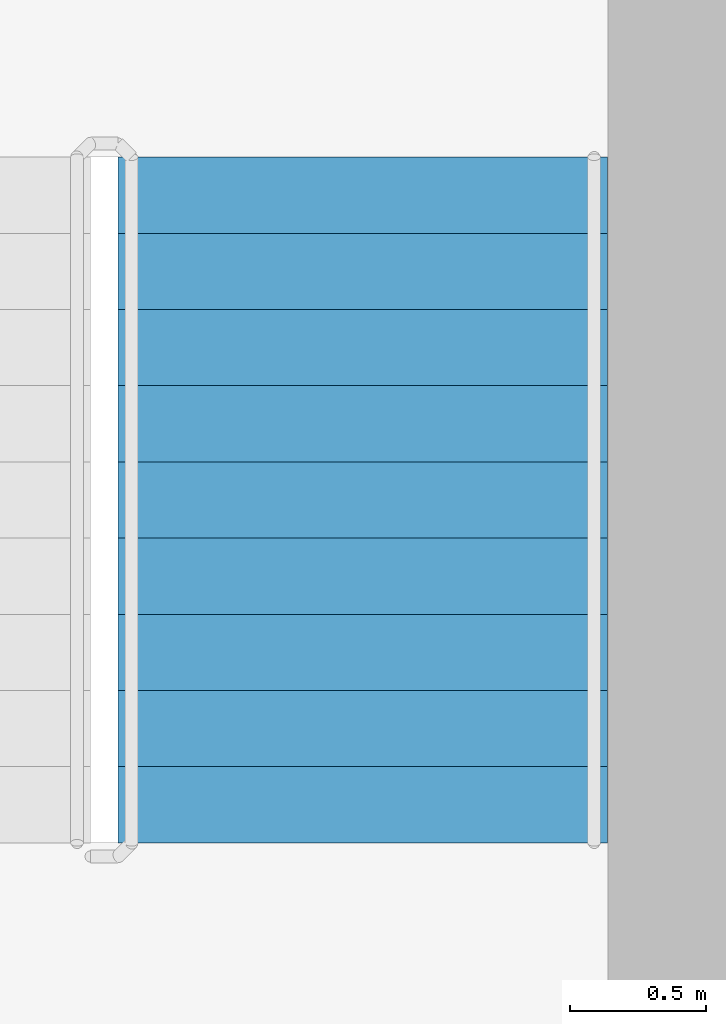
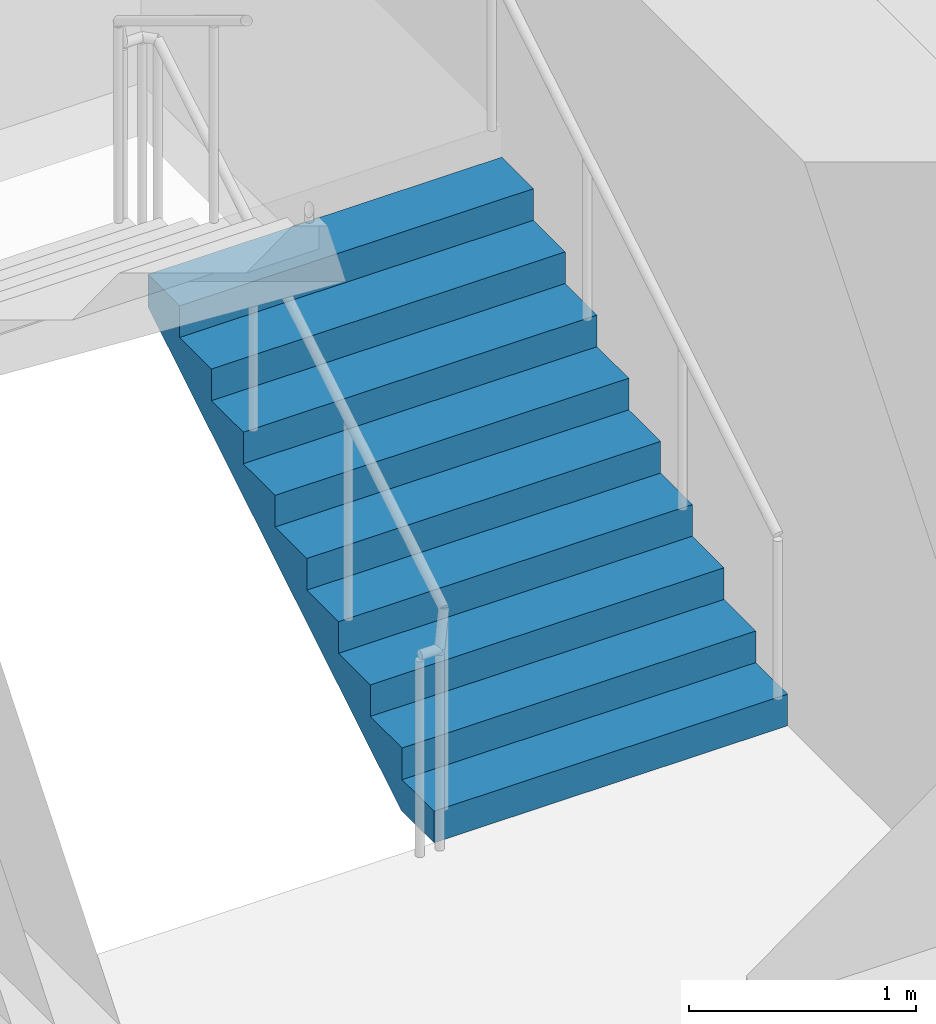
# One storey, part 13 of 22: 1 stair flight, 1 element without a shape of its own.
"""IFC4 building model written with IfcOpenShell, lengths in metres."""

from ifc_helpers import new_model, si_unit, direction, frame, origin, place, context, subcontext, project, spatial, triangles, source, transform, mapped, material, type_object, element, aggregate, save


model = new_model("IFC4")

# Units and contexts
model_context = context("Model", 3, precision=1e-05, world=origin(), true_north=direction((0.0, 1.0)))
body_context = subcontext(model_context, "Body", "Model", "MODEL_VIEW")
ifc_project = project(units=[si_unit("LENGTHUNIT", "METRE"), si_unit("AREAUNIT", "SQUARE_METRE"), si_unit("VOLUMEUNIT", "CUBIC_METRE"), si_unit("PLANEANGLEUNIT", "RADIAN"), si_unit("MASSUNIT", "GRAM", prefix="KILO")], contexts=[model_context])

# Site, building, storey
site_placement = place(None, origin())
site = spatial("IfcSite", under=ifc_project, at=site_placement, CompositionType="ELEMENT")
building_placement = place(site_placement, origin())
building = spatial("IfcBuilding", under=site, at=building_placement, Name="Kilnfold Tower and Market Hall", CompositionType="ELEMENT")
storey_placement = place(building_placement, frame((0.0, 0.0, 171.89990234375)))
storey = spatial("IfcBuildingStorey", under=building, at=storey_placement, Name="L40", CompositionType="ELEMENT", Elevation=171.89990234375)

# Stair, stair flight
ifc_material_1 = material(Name="Concrete C40/50", Category="concrete")
stair_type = type_object("IfcStairType", Name="CORE STAIR 1800", PredefinedType="HALF_TURN_STAIR", material=ifc_material_1)
stair_placement = place(storey_placement, origin())
stair = element("IfcStair", 1, at=stair_placement, inside=storey, type_object=stair_type, Name="L40 ST2", PredefinedType="HALF_TURN_STAIR")
ifc_material_2 = material(Name="Concrete C40/50", Category="concrete")
stair_flight_type = type_object("IfcStairFlightType", Name="CORE STAIR FLIGHT 1800", PredefinedType="STRAIGHT", material=ifc_material_2)
shared_shape = source(origin(), body_context, "Body", "Tessellation", [
    triangles([(0.0, 0.89990234375, 0.0), (0.0, 0.78759765625, 0.0), (0.0, 0.675048828125, 0.0), (0.0, 0.5625, 0.0), (0.0, 0.449951171875, 0.0), (0.0, 0.33740234375, 0.0), (0.0, 0.22509765625, 0.0), (0.0, 0.112548828125, 0.0), (0.0, 0.0, 0.0), (0.0, -0.112548828125, 0.0), (0.0, -0.22509765625, 0.0), (0.0, -0.33740234375, 0.0), (0.0, -0.449951171875, 0.0), (0.0, -0.5625, 0.0), (0.0, -0.675048828125, 0.0), (0.0, -0.78759765625, 0.0), (0.0, -0.89990234375, 0.0), (0.0, 0.89990234375, 0.169921875), (0.0, 0.78759765625, 0.169921875), (0.0, 0.675048828125, 0.169921875), (0.0, 0.5625, 0.169921875), (0.0, 0.449951171875, 0.169921875), (0.0, 0.33740234375, 0.169921875), (0.0, 0.22509765625, 0.169921875), (0.0, 0.112548828125, 0.169921875), (0.0, 0.0, 0.169921875), (0.0, -0.112548828125, 0.169921875), (0.0, -0.22509765625, 0.169921875), (0.0, -0.33740234375, 0.169921875), (0.0, -0.449951171875, 0.169921875), (0.0, -0.5625, 0.169921875), (0.0, -0.675048828125, 0.169921875), (0.0, -0.78759765625, 0.169921875), (0.0, -0.89990234375, 0.169921875), (0.280029296875, 0.89990234375, 0.169921875), (0.280029296875, 0.78759765625, 0.169921875), (0.280029296875, 0.675048828125, 0.169921875), (0.280029296875, 0.5625, 0.169921875), (0.280029296875, 0.449951171875, 0.169921875), (0.280029296875, 0.33740234375, 0.169921875), (0.280029296875, 0.22509765625, 0.169921875), (0.280029296875, 0.112548828125, 0.169921875), (0.280029296875, 0.0, 0.169921875), (0.280029296875, -0.112548828125, 0.169921875), (0.280029296875, -0.22509765625, 0.169921875), (0.280029296875, -0.33740234375, 0.169921875), (0.280029296875, -0.449951171875, 0.169921875), (0.280029296875, -0.5625, 0.169921875), (0.280029296875, -0.675048828125, 0.169921875), (0.280029296875, -0.78759765625, 0.169921875), (0.280029296875, -0.89990234375, 0.169921875), (0.280029296875, 0.89990234375, 0.340087890625), (0.280029296875, 0.78759765625, 0.340087890625), (0.280029296875, 0.675048828125, 0.340087890625), (0.280029296875, 0.5625, 0.340087890625), (0.280029296875, 0.449951171875, 0.340087890625), (0.280029296875, 0.33740234375, 0.340087890625), (0.280029296875, 0.22509765625, 0.340087890625), (0.280029296875, 0.112548828125, 0.340087890625), (0.280029296875, 0.0, 0.340087890625), (0.280029296875, -0.112548828125, 0.340087890625), (0.280029296875, -0.22509765625, 0.340087890625), (0.280029296875, -0.33740234375, 0.340087890625), (0.280029296875, -0.449951171875, 0.340087890625), (0.280029296875, -0.5625, 0.340087890625), (0.280029296875, -0.675048828125, 0.340087890625), (0.280029296875, -0.78759765625, 0.340087890625), (0.280029296875, -0.89990234375, 0.340087890625), (0.56005859375, 0.89990234375, 0.340087890625), (0.56005859375, 0.78759765625, 0.340087890625), (0.56005859375, 0.675048828125, 0.340087890625), (0.56005859375, 0.5625, 0.340087890625), (0.56005859375, 0.449951171875, 0.340087890625), (0.56005859375, 0.33740234375, 0.340087890625), (0.56005859375, 0.22509765625, 0.340087890625), (0.56005859375, 0.112548828125, 0.340087890625), (0.56005859375, 0.0, 0.340087890625), (0.56005859375, -0.112548828125, 0.340087890625), (0.56005859375, -0.22509765625, 0.340087890625), (0.56005859375, -0.33740234375, 0.340087890625), (0.56005859375, -0.449951171875, 0.340087890625), (0.56005859375, -0.5625, 0.340087890625), (0.56005859375, -0.675048828125, 0.340087890625), (0.56005859375, -0.78759765625, 0.340087890625), (0.56005859375, -0.89990234375, 0.340087890625), (0.56005859375, 0.89990234375, 0.510009765625), (0.56005859375, 0.78759765625, 0.510009765625), (0.56005859375, 0.675048828125, 0.510009765625), (0.56005859375, 0.5625, 0.510009765625), (0.56005859375, 0.449951171875, 0.510009765625), (0.56005859375, 0.33740234375, 0.510009765625), (0.56005859375, 0.22509765625, 0.510009765625), (0.56005859375, 0.112548828125, 0.510009765625), (0.56005859375, 0.0, 0.510009765625), (0.56005859375, -0.112548828125, 0.510009765625), (0.56005859375, -0.22509765625, 0.510009765625), (0.56005859375, -0.33740234375, 0.510009765625), (0.56005859375, -0.449951171875, 0.510009765625), (0.56005859375, -0.5625, 0.510009765625), (0.56005859375, -0.675048828125, 0.510009765625), (0.56005859375, -0.78759765625, 0.510009765625), (0.56005859375, -0.89990234375, 0.510009765625), (0.840087890625, 0.89990234375, 0.510009765625), (0.840087890625, 0.78759765625, 0.510009765625), (0.840087890625, 0.675048828125, 0.510009765625), (0.840087890625, 0.5625, 0.510009765625), (0.840087890625, 0.449951171875, 0.510009765625), (0.840087890625, 0.33740234375, 0.510009765625), (0.840087890625, 0.22509765625, 0.510009765625), (0.840087890625, 0.112548828125, 0.510009765625), (0.840087890625, 0.0, 0.510009765625), (0.840087890625, -0.112548828125, 0.510009765625), (0.840087890625, -0.22509765625, 0.510009765625), (0.840087890625, -0.33740234375, 0.510009765625), (0.840087890625, -0.449951171875, 0.510009765625), (0.840087890625, -0.5625, 0.510009765625), (0.840087890625, -0.675048828125, 0.510009765625), (0.840087890625, -0.78759765625, 0.510009765625), (0.840087890625, -0.89990234375, 0.510009765625), (0.840087890625, 0.89990234375, 0.679931640625), (0.840087890625, 0.78759765625, 0.679931640625), (0.840087890625, 0.675048828125, 0.679931640625), (0.840087890625, 0.5625, 0.679931640625), (0.840087890625, 0.449951171875, 0.679931640625), (0.840087890625, 0.33740234375, 0.679931640625), (0.840087890625, 0.22509765625, 0.679931640625), (0.840087890625, 0.112548828125, 0.679931640625), (0.840087890625, 0.0, 0.679931640625), (0.840087890625, -0.112548828125, 0.679931640625), (0.840087890625, -0.22509765625, 0.679931640625), (0.840087890625, -0.33740234375, 0.679931640625), (0.840087890625, -0.449951171875, 0.679931640625), (0.840087890625, -0.5625, 0.679931640625), (0.840087890625, -0.675048828125, 0.679931640625), (0.840087890625, -0.78759765625, 0.679931640625), (0.840087890625, -0.89990234375, 0.679931640625), (1.1201171875, 0.89990234375, 0.679931640625), (1.1201171875, 0.78759765625, 0.679931640625), (1.1201171875, 0.675048828125, 0.679931640625), (1.1201171875, 0.5625, 0.679931640625), (1.1201171875, 0.449951171875, 0.679931640625), (1.1201171875, 0.33740234375, 0.679931640625), (1.1201171875, 0.22509765625, 0.679931640625), (1.1201171875, 0.112548828125, 0.679931640625), (1.1201171875, 0.0, 0.679931640625), (1.1201171875, -0.112548828125, 0.679931640625), (1.1201171875, -0.22509765625, 0.679931640625), (1.1201171875, -0.33740234375, 0.679931640625), (1.1201171875, -0.449951171875, 0.679931640625), (1.1201171875, -0.5625, 0.679931640625), (1.1201171875, -0.675048828125, 0.679931640625), (1.1201171875, -0.78759765625, 0.679931640625), (1.1201171875, -0.89990234375, 0.679931640625), (1.1201171875, 0.89990234375, 0.85009765625), (1.1201171875, 0.78759765625, 0.85009765625), (1.1201171875, 0.675048828125, 0.85009765625), (1.1201171875, 0.5625, 0.85009765625), (1.1201171875, 0.449951171875, 0.85009765625), (1.1201171875, 0.33740234375, 0.85009765625), (1.1201171875, 0.22509765625, 0.85009765625), (1.1201171875, 0.112548828125, 0.85009765625), (1.1201171875, 0.0, 0.85009765625), (1.1201171875, -0.112548828125, 0.85009765625), (1.1201171875, -0.22509765625, 0.85009765625), (1.1201171875, -0.33740234375, 0.85009765625), (1.1201171875, -0.449951171875, 0.85009765625), (1.1201171875, -0.5625, 0.85009765625), (1.1201171875, -0.675048828125, 0.85009765625), (1.1201171875, -0.78759765625, 0.85009765625), (1.1201171875, -0.89990234375, 0.85009765625), (1.39990234375, 0.89990234375, 0.85009765625), (1.39990234375, 0.78759765625, 0.85009765625), (1.39990234375, 0.675048828125, 0.85009765625), (1.39990234375, 0.5625, 0.85009765625), (1.39990234375, 0.449951171875, 0.85009765625), (1.39990234375, 0.33740234375, 0.85009765625), (1.39990234375, 0.22509765625, 0.85009765625), (1.39990234375, 0.112548828125, 0.85009765625), (1.39990234375, 0.0, 0.85009765625), (1.39990234375, -0.112548828125, 0.85009765625), (1.39990234375, -0.22509765625, 0.85009765625), (1.39990234375, -0.33740234375, 0.85009765625), (1.39990234375, -0.449951171875, 0.85009765625), (1.39990234375, -0.5625, 0.85009765625), (1.39990234375, -0.675048828125, 0.85009765625), (1.39990234375, -0.78759765625, 0.85009765625), (1.39990234375, -0.89990234375, 0.85009765625), (1.39990234375, 0.89990234375, 1.02001953125), (1.39990234375, 0.78759765625, 1.02001953125), (1.39990234375, 0.675048828125, 1.02001953125), (1.39990234375, 0.5625, 1.02001953125), (1.39990234375, 0.449951171875, 1.02001953125), (1.39990234375, 0.33740234375, 1.02001953125), (1.39990234375, 0.22509765625, 1.02001953125), (1.39990234375, 0.112548828125, 1.02001953125), (1.39990234375, 0.0, 1.02001953125), (1.39990234375, -0.112548828125, 1.02001953125), (1.39990234375, -0.22509765625, 1.02001953125), (1.39990234375, -0.33740234375, 1.02001953125), (1.39990234375, -0.449951171875, 1.02001953125), (1.39990234375, -0.5625, 1.02001953125), (1.39990234375, -0.675048828125, 1.02001953125), (1.39990234375, -0.78759765625, 1.02001953125), (1.39990234375, -0.89990234375, 1.02001953125), (1.679931640625, 0.89990234375, 1.02001953125), (1.679931640625, 0.78759765625, 1.02001953125), (1.679931640625, 0.675048828125, 1.02001953125), (1.679931640625, 0.5625, 1.02001953125), (1.679931640625, 0.449951171875, 1.02001953125), (1.679931640625, 0.33740234375, 1.02001953125), (1.679931640625, 0.22509765625, 1.02001953125), (1.679931640625, 0.112548828125, 1.02001953125), (1.679931640625, 0.0, 1.02001953125), (1.679931640625, -0.112548828125, 1.02001953125), (1.679931640625, -0.22509765625, 1.02001953125), (1.679931640625, -0.33740234375, 1.02001953125), (1.679931640625, -0.449951171875, 1.02001953125), (1.679931640625, -0.5625, 1.02001953125), (1.679931640625, -0.675048828125, 1.02001953125), (1.679931640625, -0.78759765625, 1.02001953125), (1.679931640625, -0.89990234375, 1.02001953125), (1.679931640625, 0.89990234375, 1.18994140625), (1.679931640625, 0.78759765625, 1.18994140625), (1.679931640625, 0.675048828125, 1.18994140625), (1.679931640625, 0.5625, 1.18994140625), (1.679931640625, 0.449951171875, 1.18994140625), (1.679931640625, 0.33740234375, 1.18994140625), (1.679931640625, 0.22509765625, 1.18994140625), (1.679931640625, 0.112548828125, 1.18994140625), (1.679931640625, 0.0, 1.18994140625), (1.679931640625, -0.112548828125, 1.18994140625), (1.679931640625, -0.22509765625, 1.18994140625), (1.679931640625, -0.33740234375, 1.18994140625), (1.679931640625, -0.449951171875, 1.18994140625), (1.679931640625, -0.5625, 1.18994140625), (1.679931640625, -0.675048828125, 1.18994140625), (1.679931640625, -0.78759765625, 1.18994140625), (1.679931640625, -0.89990234375, 1.18994140625), (1.9599609375, 0.89990234375, 1.18994140625), (1.9599609375, 0.78759765625, 1.18994140625), (1.9599609375, 0.675048828125, 1.18994140625), (1.9599609375, 0.5625, 1.18994140625), (1.9599609375, 0.449951171875, 1.18994140625), (1.9599609375, 0.33740234375, 1.18994140625), (1.9599609375, 0.22509765625, 1.18994140625), (1.9599609375, 0.112548828125, 1.18994140625), (1.9599609375, 0.0, 1.18994140625), (1.9599609375, -0.112548828125, 1.18994140625), (1.9599609375, -0.22509765625, 1.18994140625), (1.9599609375, -0.33740234375, 1.18994140625), (1.9599609375, -0.449951171875, 1.18994140625), (1.9599609375, -0.5625, 1.18994140625), (1.9599609375, -0.675048828125, 1.18994140625), (1.9599609375, -0.78759765625, 1.18994140625), (1.9599609375, -0.89990234375, 1.18994140625), (1.9599609375, 0.89990234375, 1.360107421875), (1.9599609375, 0.78759765625, 1.360107421875), (1.9599609375, 0.675048828125, 1.360107421875), (1.9599609375, 0.5625, 1.360107421875), (1.9599609375, 0.449951171875, 1.360107421875), (1.9599609375, 0.33740234375, 1.360107421875), (1.9599609375, 0.22509765625, 1.360107421875), (1.9599609375, 0.112548828125, 1.360107421875), (1.9599609375, 0.0, 1.360107421875), (1.9599609375, -0.112548828125, 1.360107421875), (1.9599609375, -0.22509765625, 1.360107421875), (1.9599609375, -0.33740234375, 1.360107421875), (1.9599609375, -0.449951171875, 1.360107421875), (1.9599609375, -0.5625, 1.360107421875), (1.9599609375, -0.675048828125, 1.360107421875), (1.9599609375, -0.78759765625, 1.360107421875), (1.9599609375, -0.89990234375, 1.360107421875), (2.239990234375, 0.89990234375, 1.360107421875), (2.239990234375, 0.78759765625, 1.360107421875), (2.239990234375, 0.675048828125, 1.360107421875), (2.239990234375, 0.5625, 1.360107421875), (2.239990234375, 0.449951171875, 1.360107421875), (2.239990234375, 0.33740234375, 1.360107421875), (2.239990234375, 0.22509765625, 1.360107421875), (2.239990234375, 0.112548828125, 1.360107421875), (2.239990234375, 0.0, 1.360107421875), (2.239990234375, -0.112548828125, 1.360107421875), (2.239990234375, -0.22509765625, 1.360107421875), (2.239990234375, -0.33740234375, 1.360107421875), (2.239990234375, -0.449951171875, 1.360107421875), (2.239990234375, -0.5625, 1.360107421875), (2.239990234375, -0.675048828125, 1.360107421875), (2.239990234375, -0.78759765625, 1.360107421875), (2.239990234375, -0.89990234375, 1.360107421875), (2.239990234375, 0.89990234375, 1.530029296875), (2.239990234375, 0.78759765625, 1.530029296875), (2.239990234375, 0.675048828125, 1.530029296875), (2.239990234375, 0.5625, 1.530029296875), (2.239990234375, 0.449951171875, 1.530029296875), (2.239990234375, 0.33740234375, 1.530029296875), (2.239990234375, 0.22509765625, 1.530029296875), (2.239990234375, 0.112548828125, 1.530029296875), (2.239990234375, 0.0, 1.530029296875), (2.239990234375, -0.112548828125, 1.530029296875), (2.239990234375, -0.22509765625, 1.530029296875), (2.239990234375, -0.33740234375, 1.530029296875), (2.239990234375, -0.449951171875, 1.530029296875), (2.239990234375, -0.5625, 1.530029296875), (2.239990234375, -0.675048828125, 1.530029296875), (2.239990234375, -0.78759765625, 1.530029296875), (2.239990234375, -0.89990234375, 1.530029296875), (2.52001953125, 0.89990234375, 1.530029296875), (2.52001953125, 0.78759765625, 1.530029296875), (2.52001953125, 0.675048828125, 1.530029296875), (2.52001953125, 0.5625, 1.530029296875), (2.52001953125, 0.449951171875, 1.530029296875), (2.52001953125, 0.33740234375, 1.530029296875), (2.52001953125, 0.22509765625, 1.530029296875), (2.52001953125, 0.112548828125, 1.530029296875), (2.52001953125, 0.0, 1.530029296875), (2.52001953125, -0.112548828125, 1.530029296875), (2.52001953125, -0.22509765625, 1.530029296875), (2.52001953125, -0.33740234375, 1.530029296875), (2.52001953125, -0.449951171875, 1.530029296875), (2.52001953125, -0.5625, 1.530029296875), (2.52001953125, -0.675048828125, 1.530029296875), (2.52001953125, -0.78759765625, 1.530029296875), (2.52001953125, -0.89990234375, 1.530029296875), (2.52001953125, 0.89990234375, 1.354736328125), (2.52001953125, 0.78759765625, 1.354736328125), (2.52001953125, 0.675048828125, 1.354736328125), (2.52001953125, 0.5625, 1.354736328125), (2.52001953125, 0.449951171875, 1.354736328125), (2.52001953125, 0.33740234375, 1.354736328125), (2.52001953125, 0.22509765625, 1.354736328125), (2.52001953125, 0.112548828125, 1.354736328125), (2.52001953125, 0.0, 1.354736328125), (2.52001953125, -0.112548828125, 1.354736328125), (2.52001953125, -0.22509765625, 1.354736328125), (2.52001953125, -0.33740234375, 1.354736328125), (2.52001953125, -0.449951171875, 1.354736328125), (2.52001953125, -0.5625, 1.354736328125), (2.52001953125, -0.675048828125, 1.354736328125), (2.52001953125, -0.78759765625, 1.354736328125), (2.52001953125, -0.89990234375, 1.354736328125), (0.288818359375, 0.89990234375, 0.0), (0.288818359375, 0.78759765625, 0.0), (0.288818359375, 0.675048828125, 0.0), (0.288818359375, 0.5625, 0.0), (0.288818359375, 0.449951171875, 0.0), (0.288818359375, 0.33740234375, 0.0), (0.288818359375, 0.22509765625, 0.0), (0.288818359375, 0.112548828125, 0.0), (0.288818359375, 0.0, 0.0), (0.288818359375, -0.112548828125, 0.0), (0.288818359375, -0.22509765625, 0.0), (0.288818359375, -0.33740234375, 0.0), (0.288818359375, -0.449951171875, 0.0), (0.288818359375, -0.5625, 0.0), (0.288818359375, -0.675048828125, 0.0), (0.288818359375, -0.78759765625, 0.0), (0.288818359375, -0.89990234375, 0.0)], [[1, 324, 341], [17, 357, 340], [324, 290, 307], [340, 323, 306], [324, 273, 290], [340, 306, 289], [324, 256, 273], [340, 289, 272], [324, 239, 256], [340, 272, 255], [239, 205, 222], [255, 238, 221], [324, 205, 239], [340, 255, 221], [205, 171, 188], [221, 204, 187], [324, 171, 205], [340, 221, 187], [171, 137, 154], [187, 170, 153], [324, 137, 171], [340, 187, 153], [137, 103, 120], [153, 136, 119], [324, 103, 137], [340, 153, 119], [103, 69, 86], [119, 102, 85], [324, 69, 103], [340, 119, 85], [69, 35, 52], [85, 68, 51], [324, 35, 69], [340, 85, 51], [1, 35, 324], [17, 340, 51], [35, 1, 18], [51, 34, 17], [1, 19, 18], [1, 2, 19], [2, 20, 19], [2, 3, 20], [3, 21, 20], [3, 4, 21], [4, 22, 21], [4, 5, 22], [5, 23, 22], [5, 6, 23], [6, 24, 23], [6, 7, 24], [7, 25, 24], [7, 8, 25], [8, 26, 25], [8, 9, 26], [9, 27, 26], [9, 10, 27], [10, 28, 27], [10, 11, 28], [11, 29, 28], [11, 12, 29], [12, 30, 29], [12, 13, 30], [13, 31, 30], [13, 14, 31], [14, 32, 31], [14, 15, 32], [15, 33, 32], [15, 16, 33], [16, 34, 33], [16, 17, 34], [18, 36, 35], [18, 19, 36], [19, 37, 36], [19, 20, 37], [20, 38, 37], [20, 21, 38], [21, 39, 38], [21, 22, 39], [22, 40, 39], [22, 23, 40], [23, 41, 40], [23, 24, 41], [24, 42, 41], [24, 25, 42], [25, 43, 42], [25, 26, 43], [26, 44, 43], [26, 27, 44], [27, 45, 44], [27, 28, 45], [28, 46, 45], [28, 29, 46], [29, 47, 46], [29, 30, 47], [30, 48, 47], [30, 31, 48], [31, 49, 48], [31, 32, 49], [32, 50, 49], [32, 33, 50], [33, 51, 50], [33, 34, 51], [35, 53, 52], [35, 36, 53], [36, 54, 53], [36, 37, 54], [37, 55, 54], [37, 38, 55], [38, 56, 55], [38, 39, 56], [39, 57, 56], [39, 40, 57], [40, 58, 57], [40, 41, 58], [41, 59, 58], [41, 42, 59], [42, 60, 59], [42, 43, 60], [43, 61, 60], [43, 44, 61], [44, 62, 61], [44, 45, 62], [45, 63, 62], [45, 46, 63], [46, 64, 63], [46, 47, 64], [47, 65, 64], [47, 48, 65], [48, 66, 65], [48, 49, 66], [49, 67, 66], [49, 50, 67], [50, 68, 67], [50, 51, 68], [52, 70, 69], [52, 53, 70], [53, 71, 70], [53, 54, 71], [54, 72, 71], [54, 55, 72], [55, 73, 72], [55, 56, 73], [56, 74, 73], [56, 57, 74], [57, 75, 74], [57, 58, 75], [58, 76, 75], [58, 59, 76], [59, 77, 76], [59, 60, 77], [60, 78, 77], [60, 61, 78], [61, 79, 78], [61, 62, 79], [62, 80, 79], [62, 63, 80], [63, 81, 80], [63, 64, 81], [64, 82, 81], [64, 65, 82], [65, 83, 82], [65, 66, 83], [66, 84, 83], [66, 67, 84], [67, 85, 84], [67, 68, 85], [69, 87, 86], [69, 70, 87], [70, 88, 87], [70, 71, 88], [71, 89, 88], [71, 72, 89], [72, 90, 89], [72, 73, 90], [73, 91, 90], [73, 74, 91], [74, 92, 91], [74, 75, 92], [75, 93, 92], [75, 76, 93], [76, 94, 93], [76, 77, 94], [77, 95, 94], [77, 78, 95], [78, 96, 95], [78, 79, 96], [79, 97, 96], [79, 80, 97], [80, 98, 97], [80, 81, 98], [81, 99, 98], [81, 82, 99], [82, 100, 99], [82, 83, 100], [83, 101, 100], [83, 84, 101], [84, 102, 101], [84, 85, 102], [86, 104, 103], [86, 87, 104], [87, 105, 104], [87, 88, 105], [88, 106, 105], [88, 89, 106], [89, 107, 106], [89, 90, 107], [90, 108, 107], [90, 91, 108], [91, 109, 108], [91, 92, 109], [92, 110, 109], [92, 93, 110], [93, 111, 110], [93, 94, 111], [94, 112, 111], [94, 95, 112], [95, 113, 112], [95, 96, 113], [96, 114, 113], [96, 97, 114], [97, 115, 114], [97, 98, 115], [98, 116, 115], [98, 99, 116], [99, 117, 116], [99, 100, 117], [100, 118, 117], [100, 101, 118], [101, 119, 118], [101, 102, 119], [103, 121, 120], [103, 104, 121], [104, 122, 121], [104, 105, 122], [105, 123, 122], [105, 106, 123], [106, 124, 123], [106, 107, 124], [107, 125, 124], [107, 108, 125], [108, 126, 125], [108, 109, 126], [109, 127, 126], [109, 110, 127], [110, 128, 127], [110, 111, 128], [111, 129, 128], [111, 112, 129], [112, 130, 129], [112, 113, 130], [113, 131, 130], [113, 114, 131], [114, 132, 131], [114, 115, 132], [115, 133, 132], [115, 116, 133], [116, 134, 133], [116, 117, 134], [117, 135, 134], [117, 118, 135], [118, 136, 135], [118, 119, 136], [120, 138, 137], [120, 121, 138], [121, 139, 138], [121, 122, 139], [122, 140, 139], [122, 123, 140], [123, 141, 140], [123, 124, 141], [124, 142, 141], [124, 125, 142], [125, 143, 142], [125, 126, 143], [126, 144, 143], [126, 127, 144], [127, 145, 144], [127, 128, 145], [128, 146, 145], [128, 129, 146], [129, 147, 146], [129, 130, 147], [130, 148, 147], [130, 131, 148], [131, 149, 148], [131, 132, 149], [132, 150, 149], [132, 133, 150], [133, 151, 150], [133, 134, 151], [134, 152, 151], [134, 135, 152], [135, 153, 152], [135, 136, 153], [137, 155, 154], [137, 138, 155], [138, 156, 155], [138, 139, 156], [139, 157, 156], [139, 140, 157], [140, 158, 157], [140, 141, 158], [141, 159, 158], [141, 142, 159], [142, 160, 159], [142, 143, 160], [143, 161, 160], [143, 144, 161], [144, 162, 161], [144, 145, 162], [145, 163, 162], [145, 146, 163], [146, 164, 163], [146, 147, 164], [147, 165, 164], [147, 148, 165], [148, 166, 165], [148, 149, 166], [149, 167, 166], [149, 150, 167], [150, 168, 167], [150, 151, 168], [151, 169, 168], [151, 152, 169], [152, 170, 169], [152, 153, 170], [154, 172, 171], [154, 155, 172], [155, 173, 172], [155, 156, 173], [156, 174, 173], [156, 157, 174], [157, 175, 174], [157, 158, 175], [158, 176, 175], [158, 159, 176], [159, 177, 176], [159, 160, 177], [160, 178, 177], [160, 161, 178], [161, 179, 178], [161, 162, 179], [162, 180, 179], [162, 163, 180], [163, 181, 180], [163, 164, 181], [164, 182, 181], [164, 165, 182], [165, 183, 182], [165, 166, 183], [166, 184, 183], [166, 167, 184], [167, 185, 184], [167, 168, 185], [168, 186, 185], [168, 169, 186], [169, 187, 186], [169, 170, 187], [171, 189, 188], [171, 172, 189], [172, 190, 189], [172, 173, 190], [173, 191, 190], [173, 174, 191], [174, 192, 191], [174, 175, 192], [175, 193, 192], [175, 176, 193], [176, 194, 193], [176, 177, 194], [177, 195, 194], [177, 178, 195], [178, 196, 195], [178, 179, 196], [179, 197, 196], [179, 180, 197], [180, 198, 197], [180, 181, 198], [181, 199, 198], [181, 182, 199], [182, 200, 199], [182, 183, 200], [183, 201, 200], [183, 184, 201], [184, 202, 201], [184, 185, 202], [185, 203, 202], [185, 186, 203], [186, 204, 203], [186, 187, 204], [188, 206, 205], [188, 189, 206], [189, 207, 206], [189, 190, 207], [190, 208, 207], [190, 191, 208], [191, 209, 208], [191, 192, 209], [192, 210, 209], [192, 193, 210], [193, 211, 210], [193, 194, 211], [194, 212, 211], [194, 195, 212], [195, 213, 212], [195, 196, 213], [196, 214, 213], [196, 197, 214], [197, 215, 214], [197, 198, 215], [198, 216, 215], [198, 199, 216], [199, 217, 216], [199, 200, 217], [200, 218, 217], [200, 201, 218], [201, 219, 218], [201, 202, 219], [202, 220, 219], [202, 203, 220], [203, 221, 220], [203, 204, 221], [205, 223, 222], [205, 206, 223], [206, 224, 223], [206, 207, 224], [207, 225, 224], [207, 208, 225], [208, 226, 225], [208, 209, 226], [209, 227, 226], [209, 210, 227], [210, 228, 227], [210, 211, 228], [211, 229, 228], [211, 212, 229], [212, 230, 229], [212, 213, 230], [213, 231, 230], [213, 214, 231], [214, 232, 231], [214, 215, 232], [215, 233, 232], [215, 216, 233], [216, 234, 233], [216, 217, 234], [217, 235, 234], [217, 218, 235], [218, 236, 235], [218, 219, 236], [219, 237, 236], [219, 220, 237], [220, 238, 237], [220, 221, 238], [222, 240, 239], [222, 223, 240], [223, 241, 240], [223, 224, 241], [224, 242, 241], [224, 225, 242], [225, 243, 242], [225, 226, 243], [226, 244, 243], [226, 227, 244], [227, 245, 244], [227, 228, 245], [228, 246, 245], [228, 229, 246], [229, 247, 246], [229, 230, 247], [230, 248, 247], [230, 231, 248], [231, 249, 248], [231, 232, 249], [232, 250, 249], [232, 233, 250], [233, 251, 250], [233, 234, 251], [234, 252, 251], [234, 235, 252], [235, 253, 252], [235, 236, 253], [236, 254, 253], [236, 237, 254], [237, 255, 254], [237, 238, 255], [239, 257, 256], [239, 240, 257], [240, 258, 257], [240, 241, 258], [241, 259, 258], [241, 242, 259], [242, 260, 259], [242, 243, 260], [243, 261, 260], [243, 244, 261], [244, 262, 261], [244, 245, 262], [245, 263, 262], [245, 246, 263], [246, 264, 263], [246, 247, 264], [247, 265, 264], [247, 248, 265], [248, 266, 265], [248, 249, 266], [249, 267, 266], [249, 250, 267], [250, 268, 267], [250, 251, 268], [251, 269, 268], [251, 252, 269], [252, 270, 269], [252, 253, 270], [253, 271, 270], [253, 254, 271], [254, 272, 271], [254, 255, 272], [256, 274, 273], [256, 257, 274], [257, 275, 274], [257, 258, 275], [258, 276, 275], [258, 259, 276], [259, 277, 276], [259, 260, 277], [260, 278, 277], [260, 261, 278], [261, 279, 278], [261, 262, 279], [262, 280, 279], [262, 263, 280], [263, 281, 280], [263, 264, 281], [264, 282, 281], [264, 265, 282], [265, 283, 282], [265, 266, 283], [266, 284, 283], [266, 267, 284], [267, 285, 284], [267, 268, 285], [268, 286, 285], [268, 269, 286], [269, 287, 286], [269, 270, 287], [270, 288, 287], [270, 271, 288], [271, 289, 288], [271, 272, 289], [273, 291, 290], [273, 274, 291], [274, 292, 291], [274, 275, 292], [275, 293, 292], [275, 276, 293], [276, 294, 293], [276, 277, 294], [277, 295, 294], [277, 278, 295], [278, 296, 295], [278, 279, 296], [279, 297, 296], [279, 280, 297], [280, 298, 297], [280, 281, 298], [281, 299, 298], [281, 282, 299], [282, 300, 299], [282, 283, 300], [283, 301, 300], [283, 284, 301], [284, 302, 301], [284, 285, 302], [285, 303, 302], [285, 286, 303], [286, 304, 303], [286, 287, 304], [287, 305, 304], [287, 288, 305], [288, 306, 305], [288, 289, 306], [290, 308, 307], [290, 291, 308], [291, 309, 308], [291, 292, 309], [292, 310, 309], [292, 293, 310], [293, 311, 310], [293, 294, 311], [294, 312, 311], [294, 295, 312], [295, 313, 312], [295, 296, 313], [296, 314, 313], [296, 297, 314], [297, 315, 314], [297, 298, 315], [298, 316, 315], [298, 299, 316], [299, 317, 316], [299, 300, 317], [300, 318, 317], [300, 301, 318], [301, 319, 318], [301, 302, 319], [302, 320, 319], [302, 303, 320], [303, 321, 320], [303, 304, 321], [304, 322, 321], [304, 305, 322], [305, 323, 322], [305, 306, 323], [307, 325, 324], [307, 308, 325], [308, 326, 325], [308, 309, 326], [309, 327, 326], [309, 310, 327], [310, 328, 327], [310, 311, 328], [311, 329, 328], [311, 312, 329], [312, 330, 329], [312, 313, 330], [313, 331, 330], [313, 314, 331], [314, 332, 331], [314, 315, 332], [315, 333, 332], [315, 316, 333], [316, 334, 333], [316, 317, 334], [317, 335, 334], [317, 318, 335], [318, 336, 335], [318, 319, 336], [319, 337, 336], [319, 320, 337], [320, 338, 337], [320, 321, 338], [321, 339, 338], [321, 322, 339], [322, 340, 339], [322, 323, 340], [324, 342, 341], [324, 325, 342], [325, 343, 342], [325, 326, 343], [326, 344, 343], [326, 327, 344], [327, 345, 344], [327, 328, 345], [328, 346, 345], [328, 329, 346], [329, 347, 346], [329, 330, 347], [330, 348, 347], [330, 331, 348], [331, 349, 348], [331, 332, 349], [332, 350, 349], [332, 333, 350], [333, 351, 350], [333, 334, 351], [334, 352, 351], [334, 335, 352], [335, 353, 352], [335, 336, 353], [336, 354, 353], [336, 337, 354], [337, 355, 354], [337, 338, 355], [338, 356, 355], [338, 339, 356], [339, 357, 356], [339, 340, 357], [341, 2, 1], [341, 342, 2], [342, 3, 2], [342, 343, 3], [343, 4, 3], [343, 344, 4], [344, 5, 4], [344, 345, 5], [345, 6, 5], [345, 346, 6], [346, 7, 6], [346, 347, 7], [347, 8, 7], [347, 348, 8], [348, 9, 8], [348, 349, 9], [349, 10, 9], [349, 350, 10], [350, 11, 10], [350, 351, 11], [351, 12, 11], [351, 352, 12], [352, 13, 12], [352, 353, 13], [353, 14, 13], [353, 354, 14], [354, 15, 14], [354, 355, 15], [355, 16, 15], [355, 356, 16], [356, 17, 16], [356, 357, 17]], closed=True),
])
stair_flight_placement = place(storey_placement, frame((16.199951171875, 10.800048828125, 0.0), z_axis=(0.0, 0.0, 1.0), x_axis=(0.0, 1.0, 0.0)))
stair_flight = element("IfcStairFlight", 2, at=stair_flight_placement, type_object=stair_flight_type, Name="ST2 flight 1", NumberOfRisers=10, NumberOfTreads=9, PredefinedType="STRAIGHT", RiserHeight=0.17, TreadLength=0.28, context=body_context, shape_type="MappedRepresentation", body=[
    mapped(shared_shape, transform((0.0, 0.0, 0.0))),
])
aggregate(stair, [stair_flight])

save(model, "model.ifc")
